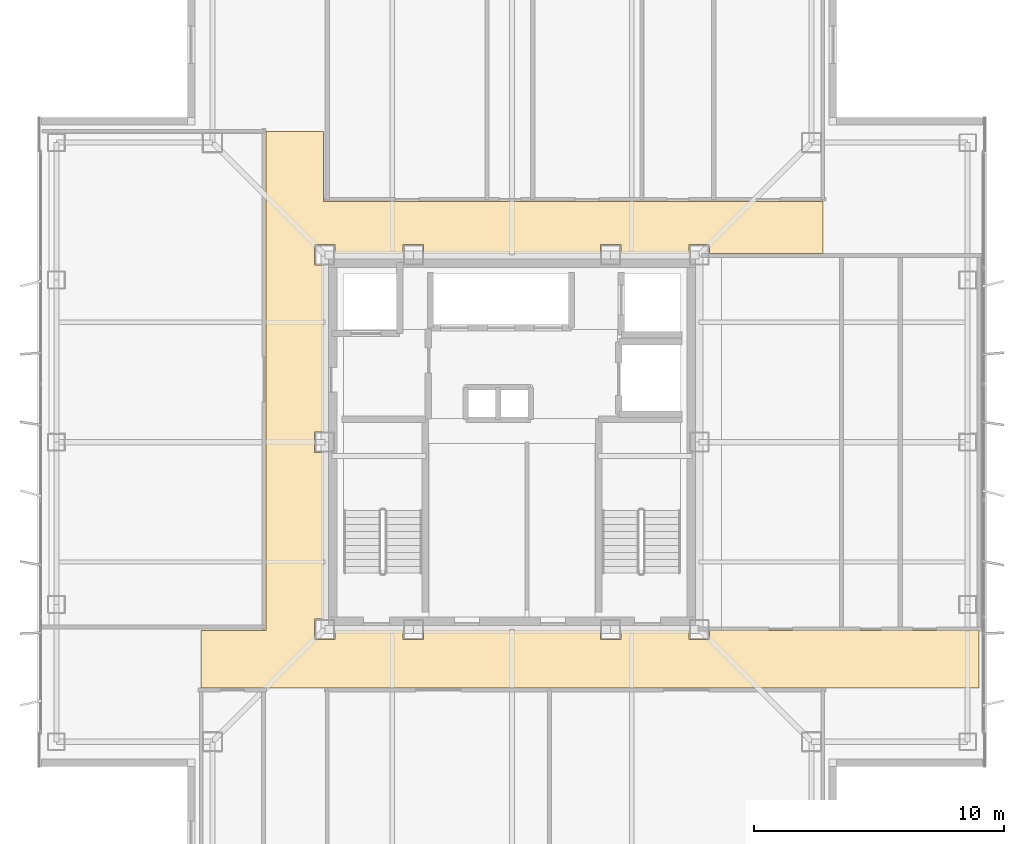
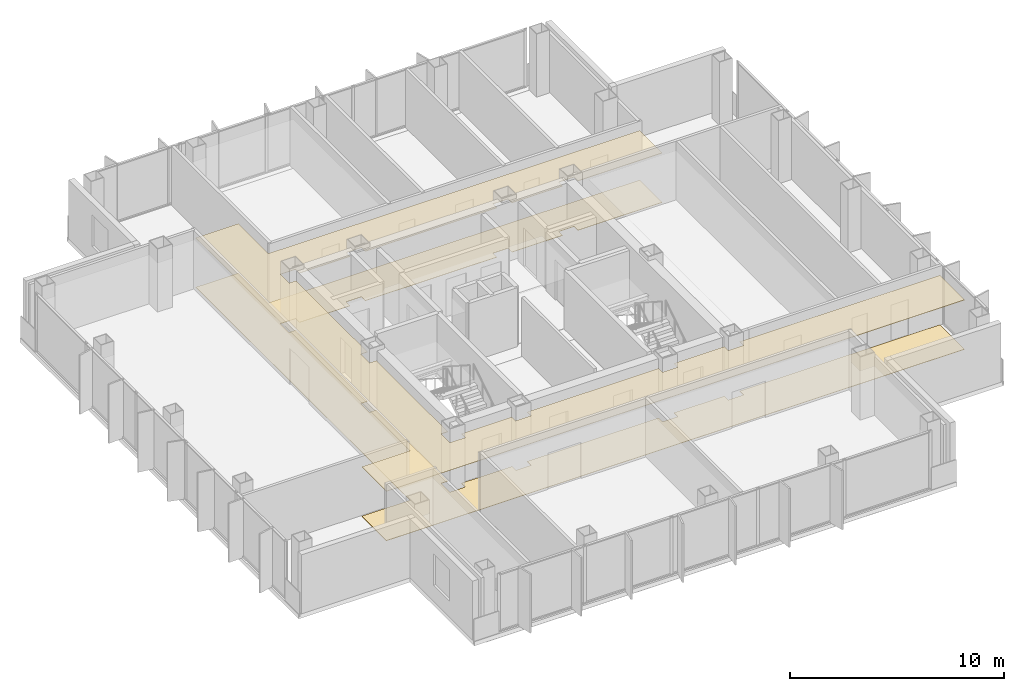
# One storey, part 13 of 15: 2 coverings.
"""IFC4 building model written with IfcOpenShell, lengths in metres."""

from ifc_helpers import new_model, si_unit, direction, frame, origin, place, context, subcontext, project, spatial, polyline, outline, extrude, material, layer, layer_set, type_object, element, save


model = new_model("IFC4")

# Units and contexts
model_context = context("Model", 3, precision=1e-05, world=origin(), true_north=direction((0.0, 1.0)))
body_context = subcontext(model_context, "Body", "Model", "MODEL_VIEW")
ifc_project = project(units=[si_unit("LENGTHUNIT", "METRE"), si_unit("AREAUNIT", "SQUARE_METRE"), si_unit("VOLUMEUNIT", "CUBIC_METRE"), si_unit("PLANEANGLEUNIT", "RADIAN"), si_unit("MASSUNIT", "GRAM", prefix="KILO")], contexts=[model_context])

# Site, building, storey
site_placement = place(None, origin())
site = spatial("IfcSite", under=ifc_project, at=site_placement, CompositionType="ELEMENT")
building_placement = place(site_placement, origin())
building = spatial("IfcBuilding", under=site, at=building_placement, Name="Trevonay Congress Spire", CompositionType="ELEMENT")
storey_placement = place(building_placement, frame((0.0, 0.0, 272.0)))
storey = spatial("IfcBuildingStorey", under=building, at=storey_placement, Name="L71", CompositionType="ELEMENT", Elevation=272.0)

# Coverings
ifc_material_1 = material(Name="Acoustic Mineral Fibre Board", Category="gypsum")
ifc_layer_1 = layer(ifc_material_1, 0.02490234375, Name="Acoustic Mineral Fibre Board")
ifc_layer_set_1 = layer_set([ifc_layer_1], Name="Acoustic Mineral Fibre Board")
covering_type_1 = type_object("IfcCoveringType", Name="COV-CEIL-ACOUSTIC", PredefinedType="CEILING", material=ifc_layer_set_1)
covering_1_placement = place(storey_placement, frame((0.0, 0.0, 2.81005859375)))
element("IfcCovering", 1, at=covering_1_placement, inside=storey, type_object=covering_type_1, Name="L71 Cruciform Boulevard Corridor acoustic suspended ceiling", PredefinedType="CEILING", context=body_context, shape_type="SweptSolid", body=[
    extrude(outline(polyline([(18.699951171875, -7.550048828125), (18.699951171875, -9.85009765625), (-12.449951171875, -9.85009765625), (-12.449951171875, -7.550048828125), (-9.85009765625, -7.550048828125), (-9.85009765625, 12.449951171875), (-7.550048828125, 12.449951171875), (-7.550048828125, 9.64990234375), (12.449951171875, 9.64990234375), (12.449951171875, 7.550048828125), (7.909912109375, 7.550048828125), (7.909912109375, 7.909912109375), (7.090087890625, 7.909912109375), (7.090087890625, 7.550048828125), (4.360107421875, 7.550048828125), (4.360107421875, 7.909912109375), (3.5400390625, 7.909912109375), (3.5400390625, 7.550048828125), (-3.5400390625, 7.550048828125), (-3.5400390625, 7.909912109375), (-4.360107421875, 7.909912109375), (-4.360107421875, 7.550048828125), (-7.090087890625, 7.550048828125), (-7.090087890625, 7.909912109375), (-7.909912109375, 7.909912109375), (-7.909912109375, 7.090087890625), (-7.550048828125, 7.090087890625), (-7.550048828125, 0.409912109375), (-7.909912109375, 0.409912109375), (-7.909912109375, -0.409912109375), (-7.550048828125, -0.409912109375), (-7.550048828125, -7.090087890625), (-7.909912109375, -7.090087890625), (-7.909912109375, -7.909912109375), (-7.090087890625, -7.909912109375), (-7.090087890625, -7.550048828125), (-4.360107421875, -7.550048828125), (-4.360107421875, -7.909912109375), (-3.5400390625, -7.909912109375), (-3.5400390625, -7.550048828125), (3.5400390625, -7.550048828125), (3.5400390625, -7.909912109375), (4.360107421875, -7.909912109375), (4.360107421875, -7.550048828125), (7.090087890625, -7.550048828125), (7.090087890625, -7.909912109375), (7.909912109375, -7.909912109375), (7.909912109375, -7.550048828125), (18.699951171875, -7.550048828125)])), origin(), (0.0, 0.0, 1.0), 0.02490234375),
])
ifc_material_2 = material(Name="Polished Granite Floor Tile", Category="masonry")
ifc_layer_2 = layer(ifc_material_2, 0.02001953125, Name="Polished Granite Floor Tile")
ifc_layer_set_2 = layer_set([ifc_layer_2], Name="Polished Granite Floor Tile")
covering_type_2 = type_object("IfcCoveringType", Name="COV-FLOOR-STONE", PredefinedType="FLOORING", material=ifc_layer_set_2)
covering_2_placement = place(storey_placement, origin())
element("IfcCovering", 2, at=covering_2_placement, inside=storey, type_object=covering_type_2, Name="L71 Cruciform Boulevard Corridor floor finish", PredefinedType="FLOORING", context=body_context, shape_type="SweptSolid", body=[
    extrude(outline(polyline([(18.699951171875, -7.550048828125), (18.699951171875, -9.85009765625), (-12.449951171875, -9.85009765625), (-12.449951171875, -7.550048828125), (-9.85009765625, -7.550048828125), (-9.85009765625, 12.449951171875), (-7.550048828125, 12.449951171875), (-7.550048828125, 9.64990234375), (12.449951171875, 9.64990234375), (12.449951171875, 7.550048828125), (7.909912109375, 7.550048828125), (7.909912109375, 7.909912109375), (7.090087890625, 7.909912109375), (7.090087890625, 7.550048828125), (4.360107421875, 7.550048828125), (4.360107421875, 7.909912109375), (3.5400390625, 7.909912109375), (3.5400390625, 7.550048828125), (-3.5400390625, 7.550048828125), (-3.5400390625, 7.909912109375), (-4.360107421875, 7.909912109375), (-4.360107421875, 7.550048828125), (-7.090087890625, 7.550048828125), (-7.090087890625, 7.909912109375), (-7.909912109375, 7.909912109375), (-7.909912109375, 7.090087890625), (-7.550048828125, 7.090087890625), (-7.550048828125, 0.409912109375), (-7.909912109375, 0.409912109375), (-7.909912109375, -0.409912109375), (-7.550048828125, -0.409912109375), (-7.550048828125, -7.090087890625), (-7.909912109375, -7.090087890625), (-7.909912109375, -7.909912109375), (-7.090087890625, -7.909912109375), (-7.090087890625, -7.550048828125), (-4.360107421875, -7.550048828125), (-4.360107421875, -7.909912109375), (-3.5400390625, -7.909912109375), (-3.5400390625, -7.550048828125), (3.5400390625, -7.550048828125), (3.5400390625, -7.909912109375), (4.360107421875, -7.909912109375), (4.360107421875, -7.550048828125), (7.090087890625, -7.550048828125), (7.090087890625, -7.909912109375), (7.909912109375, -7.909912109375), (7.909912109375, -7.550048828125), (18.699951171875, -7.550048828125)])), origin(), (0.0, 0.0, 1.0), 0.02001953125),
])

save(model, "model.ifc")
